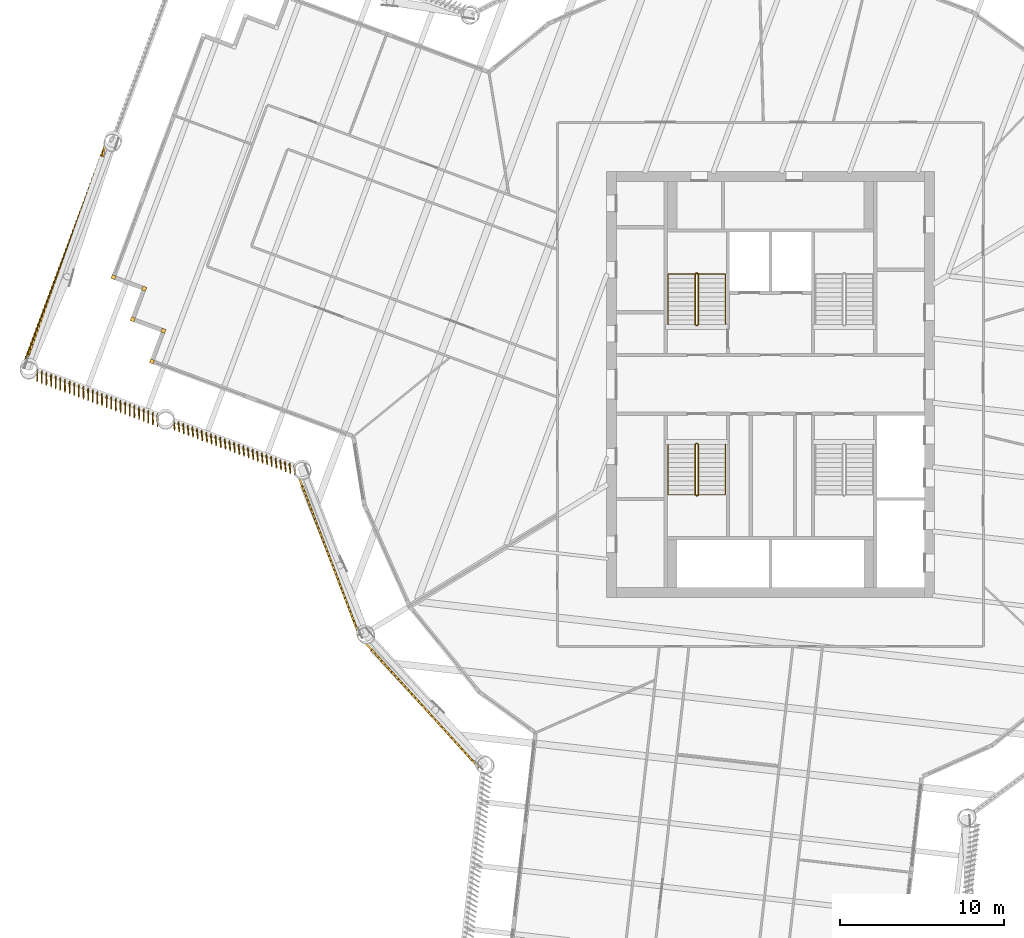
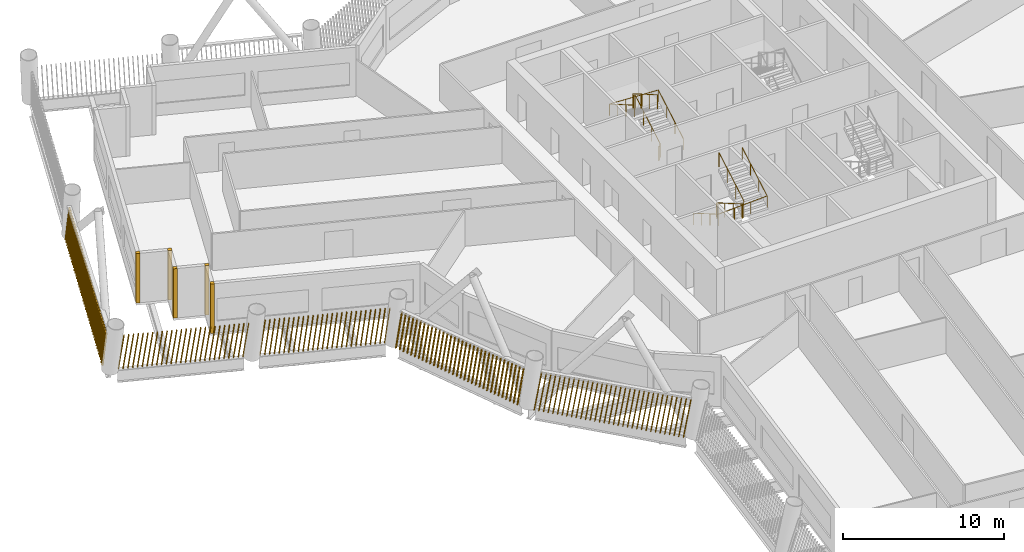
# One storey, part 19 of 22: 10 shading devices, 4 railings.
"""IFC4 building model written with IfcOpenShell, lengths in metres."""

import ifcopenshell
import ifcopenshell.guid

model = None  # the IFC model being written
_history = None  # IfcOwnerHistory: only IFC2X3 demands one
_inside = {}  # id of a spatial element -> (the spatial element, [elements in it])
_under = {}  # id of a project, library or spatial element -> (it, [spatial elements below it])
_declared = {}  # id of a project -> (the project, [libraries it declares])
_typed = {}  # id of a type object -> (the type object, [elements of that type])
_made_of = {}  # id of a material, layer set ... -> (it, [elements and type objects made of it])


def new_model(schema):
    """Start an empty IFC model of exactly this schema.

    Asked for "IFC4X3", IfcOpenShell would pick the latest addendum, in which some entities
    have other attributes; the version numbers below select the first issue.
    IFC2X3 requires an IfcOwnerHistory on every rooted entity: one is made here for all.
    """
    global model, _history
    if schema == "IFC4X3":
        model = ifcopenshell.file(schema_version=(4, 3, 0, 0))
    else:
        model = ifcopenshell.file(schema=schema)
    _inside.clear()
    _under.clear()
    _declared.clear()
    _typed.clear()
    _made_of.clear()
    _history = None
    if model.schema == "IFC2X3":
        org = make("IfcOrganization", Name="unknown")
        user = make(
            "IfcPersonAndOrganization",
            ThePerson=make("IfcPerson", FamilyName="unknown"),
            TheOrganization=org,
        )
        app = make(
            "IfcApplication",
            ApplicationDeveloper=org,
            Version="unknown",
            ApplicationFullName="unknown",
            ApplicationIdentifier="unknown",
        )
        _history = make(
            "IfcOwnerHistory",
            OwningUser=user,
            OwningApplication=app,
            ChangeAction="ADDED",
            CreationDate=0,
        )
    return model


def make(cls, **values):
    """One entity of the class cls with the attributes given. An attribute that is None is left unset."""
    return model.create_entity(
        cls, **{name: value for name, value in values.items() if value is not None}
    )


def rooted(cls, **values):
    """An entity with a GlobalId (a new one), such as an element, a storey or a relation."""
    return make(cls, GlobalId=ifcopenshell.guid.new(), OwnerHistory=_history, **values)


def si_unit(unit_type, name, prefix=None):
    """IfcSIUnit, for example si_unit("LENGTHUNIT", "METRE", prefix="MILLI")."""
    return make("IfcSIUnit", UnitType=unit_type, Prefix=prefix, Name=name)


def assignment(units):
    """IfcUnitAssignment: the units of a project."""
    return None if units is None else make("IfcUnitAssignment", Units=units)


def point(xyz):
    """IfcCartesianPoint."""
    return None if xyz is None else make("IfcCartesianPoint", Coordinates=xyz)


def direction(xyz):
    """IfcDirection."""
    return None if xyz is None else make("IfcDirection", DirectionRatios=xyz)


def frame(location, z_axis=None, x_axis=None):
    """IfcAxis2Placement3D, a coordinate frame: its origin and axes. An axis left out is left unset."""
    return make(
        "IfcAxis2Placement3D",
        Location=point(location),
        Axis=direction(z_axis),
        RefDirection=direction(x_axis),
    )


def frame_2d(location, x_axis=None):
    """IfcAxis2Placement2D, a coordinate frame in the plane: its origin and x axis."""
    return make(
        "IfcAxis2Placement2D", Location=point(location), RefDirection=direction(x_axis)
    )


def origin():
    """The frame at (0, 0, 0) with its axes left unset."""
    return frame((0.0, 0.0, 0.0))


def origin_2d():
    """The frame at (0, 0) in the plane with its x axis left unset."""
    return frame_2d((0.0, 0.0))


def place(relative_to, where):
    """IfcLocalPlacement: puts the frame where relative to a parent placement (None: the world)."""
    return make(
        "IfcLocalPlacement", PlacementRelTo=relative_to, RelativePlacement=where
    )


def context(
    kind, dimensions, precision=None, world=None, true_north=None, identifier=None
):
    """IfcGeometricRepresentationContext, for example the 3D "Model" context."""
    return make(
        "IfcGeometricRepresentationContext",
        ContextIdentifier=identifier,
        ContextType=kind,
        CoordinateSpaceDimension=dimensions,
        Precision=precision,
        WorldCoordinateSystem=world,
        TrueNorth=true_north,
    )


def subcontext(parent, identifier, kind, view, scale=None):
    """IfcGeometricRepresentationSubContext, for example "Body" below "Model"."""
    return make(
        "IfcGeometricRepresentationSubContext",
        ContextIdentifier=identifier,
        ContextType=kind,
        ParentContext=parent,
        TargetScale=scale,
        TargetView=view,
    )


def project(units=None, contexts=None):
    """IfcProject with its units and contexts."""
    return rooted(
        "IfcProject",
        Name="project",
        RepresentationContexts=contexts,
        UnitsInContext=assignment(units),
    )


def spatial(cls, under=None, at=None, **own):
    """A site, building, storey or space (cls), placed at a placement, below another one or the project."""
    s = rooted(cls, ObjectPlacement=at, **own)
    if under is not None:
        _under.setdefault(under.id(), (under, []))[1].append(s)
    return s


def profile(cls, at=None, kind="AREA", **sizes):
    """A parametric profile (cls). Its sizes go by their IFC names, for example OverallWidth=200.0."""
    return make(cls, ProfileType=kind, Position=at, **sizes)


def rectangle(**sizes):
    """IfcRectangleProfileDef."""
    return profile("IfcRectangleProfileDef", **sizes)


def circle(**sizes):
    """IfcCircleProfileDef."""
    return profile("IfcCircleProfileDef", **sizes)


def composite_profile(profiles, kind="AREA"):
    """IfcCompositeProfileDef: several profiles as one."""
    return make("IfcCompositeProfileDef", ProfileType=kind, Profiles=profiles)


def extrude(swept, where, along, depth):
    """IfcExtrudedAreaSolid: the profile swept, set in the frame where, extruded along a direction by depth."""
    return make(
        "IfcExtrudedAreaSolid",
        SweptArea=swept,
        Position=where,
        ExtrudedDirection=direction(along),
        Depth=depth,
    )


def shape(context_of_items, identifier, shape_type, items):
    """IfcShapeRepresentation: the items that make up one representation, for example the "Body"."""
    return make(
        "IfcShapeRepresentation",
        ContextOfItems=context_of_items,
        RepresentationIdentifier=identifier,
        RepresentationType=shape_type,
        Items=items,
    )


def material(Name=None, Category=None):
    """IfcMaterial."""
    return make("IfcMaterial", Name=Name, Category=Category)


def made_of(thing, what):
    """Note that an element or type object is made of a material, layer set ...; save() writes the relation."""
    if what is not None:
        _made_of.setdefault(what.id(), (what, []))[1].append(thing)
    return thing


def type_object(cls, material=None, **own):
    """A type object (cls), such as IfcWallType, which elements share."""
    return made_of(rooted(cls, **own), material)


def element(
    cls,
    number,
    at=None,
    inside=None,
    cuts=None,
    type_object=None,
    material=None,
    context=None,
    identifier="Body",
    shape_type=None,
    held_by="IfcProductDefinitionShape",
    body=None,
    shapes=None,
    **own,
):
    """One element of the class cls, such as IfcWall. Its Tag is "e" and its number.

    at: its placement. inside: the storey or other place that contains it. cuts: it is an
    opening in that element (IfcRelVoidsElement). A single representation is given by context,
    identifier, shape_type and body (its items); several are given by shapes. held_by: the class
    of the entity that holds the representations. save() writes the other relations.
    """
    e = rooted(cls, Tag="e%d" % number, ObjectPlacement=at, **own)
    if body is not None:
        shapes = [shape(context, identifier, shape_type, body)]
    if shapes is not None:
        e.Representation = make(held_by, Representations=shapes)
    if inside is not None:
        _inside.setdefault(inside.id(), (inside, []))[1].append(e)
    if cuts is not None:
        rooted(
            "IfcRelVoidsElement", RelatingBuildingElement=cuts, RelatedOpeningElement=e
        )
    if type_object is not None:
        _typed.setdefault(type_object.id(), (type_object, []))[1].append(e)
    return made_of(e, material)


def aggregate(whole, parts):
    """IfcRelAggregates: a whole, such as a stair, and the parts it consists of."""
    return rooted("IfcRelAggregates", RelatingObject=whole, RelatedObjects=parts)


def save(model, path):
    """Write the relations noted so far, then the file.

    IfcRelAggregates (storeys below a building ...), IfcRelContainedInSpatialStructure (elements
    in a storey), IfcRelDefinesByType, IfcRelAssociatesMaterial and IfcRelDeclares: one each for
    every whole, place, type object, material and project.
    """
    for whole, parts in _under.values():
        aggregate(whole, parts)
    for where, things in _inside.values():
        rooted(
            "IfcRelContainedInSpatialStructure",
            RelatedElements=things,
            RelatingStructure=where,
        )
    for kind, things in _typed.values():
        rooted("IfcRelDefinesByType", RelatedObjects=things, RelatingType=kind)
    for what, things in _made_of.values():
        rooted("IfcRelAssociatesMaterial", RelatedObjects=things, RelatingMaterial=what)
    for by, libraries in _declared.values():
        rooted("IfcRelDeclares", RelatingContext=by, RelatedDefinitions=libraries)
    model.write(path)


model = new_model("IFC4")

# Units and contexts
model_context = context("Model", 3, precision=1e-05, world=origin(), true_north=direction((0.0, 1.0)))
body_context = subcontext(model_context, "Body", "Model", "MODEL_VIEW")
ifc_project = project(units=[si_unit("LENGTHUNIT", "METRE"), si_unit("AREAUNIT", "SQUARE_METRE"), si_unit("VOLUMEUNIT", "CUBIC_METRE"), si_unit("PLANEANGLEUNIT", "RADIAN"), si_unit("MASSUNIT", "GRAM", prefix="KILO")], contexts=[model_context])

# Site, building, storey
site_placement = place(None, origin())
site = spatial("IfcSite", under=ifc_project, at=site_placement, CompositionType="ELEMENT")
building_placement = place(site_placement, origin())
building = spatial("IfcBuilding", under=site, at=building_placement, Name="Tarsis Ring Headquarters", CompositionType="ELEMENT")
storey_placement = place(building_placement, frame((0.0, 0.0, 200.39990234375)))
storey = spatial("IfcBuildingStorey", under=building, at=storey_placement, Name="L46", CompositionType="ELEMENT", Elevation=200.39990234375)

# Railings
ifc_material_1 = material(Name="Steel S355", Category="steel")
railing_type_1 = type_object("IfcRailingType", Name="Core stair guard 1100", PredefinedType="GUARDRAIL", material=ifc_material_1)
railing_1_placement = place(storey_placement, frame((-4.5400390625, 3.610107421875, 0.0)))
element("IfcRailing", 1, at=railing_1_placement, inside=storey, type_object=railing_type_1, Name="L46 ST1 stair guard 1", PredefinedType="GUARDRAIL", context=body_context, shape_type="SweptSolid", body=[
    extrude(circle(Radius=0.02392578125, at=origin_2d()), frame((0.0, 0.0, 1.076171875), z_axis=(1.0, 0.0, 0.0), x_axis=(0.0, 1.0, 0.0)), (0.0, 0.0, 1.0), 0.080078125),
    extrude(circle(Radius=0.02392578125, at=origin_2d()), frame((0.080078125, 0.0, 1.076171875), z_axis=(0.282336740067, 0.280959487676, 0.917250092119), x_axis=(-0.705375805398, 0.708833529934, 0.0)), (0.0, 0.0, 1.0), 0.17724609375),
    extrude(circle(Radius=0.02392578125, at=origin_2d()), frame((0.130126953125, 0.0498046875, 1.23876953125), z_axis=(0.0, 0.864890721111, 0.501960198159), x_axis=(-1.0, 0.0, 0.0)), (0.0, 0.0, 1.0), 3.561279296875),
    extrude(circle(Radius=0.02392578125, at=origin_2d()), frame((0.130126953125, 3.1298828125, 3.0263671875), z_axis=(-0.707106781187, 0.707106781187, 0.0), x_axis=(-0.707106781187, -0.707106781187, 0.0)), (0.0, 0.0, 1.0), 0.07080078125),
    extrude(circle(Radius=0.02392578125, at=origin_2d()), frame((0.080078125, 3.179931640625, 3.0263671875), z_axis=(-1.0, 0.0, 0.0), x_axis=(0.0, -1.0, 0.0)), (0.0, 0.0, 1.0), 0.080078125),
    extrude(circle(Radius=0.02392578125, at=origin_2d()), frame((0.0, 3.179931640625, 3.0263671875), z_axis=(-0.282583949758, -0.282583949758, 0.916674763849), x_axis=(0.707106781187, -0.707106781187, 0.0)), (0.0, 0.0, 1.0), 0.177001953125),
    extrude(circle(Radius=0.02392578125, at=origin_2d()), frame((-0.050048828125, 3.1298828125, 3.1884765625), z_axis=(0.0, -0.864890721111, 0.501960198159), x_axis=(1.0, 0.0, 0.0)), (0.0, 0.0, 1.0), 3.561279296875),
    extrude(circle(Radius=0.02099609375, at=origin_2d()), origin(), (0.0, 0.0, 1.0), 1.052001953125),
    extrude(circle(Radius=0.02099609375, at=origin_2d()), frame((0.080078125, 0.0, 0.0)), (0.0, 0.0, 1.0), 1.052001953125),
    extrude(circle(Radius=0.02099609375, at=origin_2d()), frame((0.130126953125, 0.0498046875, 0.16259765625)), (0.0, 0.0, 1.0), 1.052001953125),
    extrude(circle(Radius=0.02099609375, at=origin_2d()), frame((0.130126953125, 1.076416015625, 0.758544921875)), (0.0, 0.0, 1.0), 1.052001953125),
    extrude(circle(Radius=0.02099609375, at=origin_2d()), frame((0.130126953125, 2.103271484375, 1.354248046875)), (0.0, 0.0, 1.0), 1.052001953125),
    extrude(circle(Radius=0.02099609375, at=origin_2d()), frame((0.130126953125, 3.1298828125, 1.9501953125)), (0.0, 0.0, 1.0), 1.052001953125),
    extrude(circle(Radius=0.02099609375, at=origin_2d()), frame((0.080078125, 3.179931640625, 1.9501953125)), (0.0, 0.0, 1.0), 1.052001953125),
    extrude(circle(Radius=0.02099609375, at=origin_2d()), frame((0.0, 3.179931640625, 1.9501953125)), (0.0, 0.0, 1.0), 1.052001953125),
    extrude(circle(Radius=0.02099609375, at=origin_2d()), frame((-0.050048828125, 3.1298828125, 2.112548828125)), (0.0, 0.0, 1.0), 1.052001953125),
    extrude(circle(Radius=0.02099609375, at=origin_2d()), frame((-0.050048828125, 2.103271484375, 2.70849609375)), (0.0, 0.0, 1.0), 1.052001953125),
    extrude(circle(Radius=0.02099609375, at=origin_2d()), frame((-0.050048828125, 1.076416015625, 3.30419921875)), (0.0, 0.0, 1.0), 1.052001953125),
    extrude(circle(Radius=0.02099609375, at=origin_2d()), frame((-0.050048828125, 0.0498046875, 3.900146484375)), (0.0, 0.0, 1.0), 1.052001953125),
])
railing_2_placement = place(storey_placement, frame((-4.4599609375, -3.610107421875, 0.0)))
element("IfcRailing", 2, at=railing_2_placement, inside=storey, type_object=railing_type_1, Name="L46 ST3 stair guard 1", PredefinedType="GUARDRAIL", context=body_context, shape_type="SweptSolid", body=[
    extrude(circle(Radius=0.02392578125, at=origin_2d()), frame((0.0, 0.0, 1.076171875), z_axis=(-1.0, 0.0, 0.0), x_axis=(0.0, -1.0, 0.0)), (0.0, 0.0, 1.0), 0.080078125),
    extrude(circle(Radius=0.02392578125, at=origin_2d()), frame((-0.080078125, 0.0, 1.076171875), z_axis=(-0.282336740067, -0.280959487676, 0.917250092119), x_axis=(0.705375805398, -0.708833529934, 0.0)), (0.0, 0.0, 1.0), 0.17724609375),
    extrude(circle(Radius=0.02392578125, at=origin_2d()), frame((-0.130126953125, -0.0498046875, 1.23876953125), z_axis=(0.0, -0.864890721111, 0.501960198159), x_axis=(1.0, 0.0, 0.0)), (0.0, 0.0, 1.0), 3.561279296875),
    extrude(circle(Radius=0.02392578125, at=origin_2d()), frame((-0.130126953125, -3.1298828125, 3.0263671875), z_axis=(0.707106781187, -0.707106781187, 0.0), x_axis=(0.707106781187, 0.707106781187, 0.0)), (0.0, 0.0, 1.0), 0.07080078125),
    extrude(circle(Radius=0.02392578125, at=origin_2d()), frame((-0.080078125, -3.179931640625, 3.0263671875), z_axis=(1.0, 0.0, 0.0), x_axis=(0.0, 1.0, 0.0)), (0.0, 0.0, 1.0), 0.080078125),
    extrude(circle(Radius=0.02392578125, at=origin_2d()), frame((0.0, -3.179931640625, 3.0263671875), z_axis=(0.282583949758, 0.282583949758, 0.916674763849), x_axis=(-0.707106781187, 0.707106781187, 0.0)), (0.0, 0.0, 1.0), 0.177001953125),
    extrude(circle(Radius=0.02392578125, at=origin_2d()), frame((0.050048828125, -3.1298828125, 3.1884765625), z_axis=(0.0, 0.864890721111, 0.501960198159), x_axis=(-1.0, 0.0, 0.0)), (0.0, 0.0, 1.0), 3.561279296875),
    extrude(circle(Radius=0.02099609375, at=origin_2d()), origin(), (0.0, 0.0, 1.0), 1.052001953125),
    extrude(circle(Radius=0.02099609375, at=origin_2d()), frame((-0.080078125, 0.0, 0.0)), (0.0, 0.0, 1.0), 1.052001953125),
    extrude(circle(Radius=0.02099609375, at=origin_2d()), frame((-0.130126953125, -0.0498046875, 0.16259765625)), (0.0, 0.0, 1.0), 1.052001953125),
    extrude(circle(Radius=0.02099609375, at=origin_2d()), frame((-0.130126953125, -1.076416015625, 0.758544921875)), (0.0, 0.0, 1.0), 1.052001953125),
    extrude(circle(Radius=0.02099609375, at=origin_2d()), frame((-0.130126953125, -2.103271484375, 1.354248046875)), (0.0, 0.0, 1.0), 1.052001953125),
    extrude(circle(Radius=0.02099609375, at=origin_2d()), frame((-0.130126953125, -3.1298828125, 1.9501953125)), (0.0, 0.0, 1.0), 1.052001953125),
    extrude(circle(Radius=0.02099609375, at=origin_2d()), frame((-0.080078125, -3.179931640625, 1.9501953125)), (0.0, 0.0, 1.0), 1.052001953125),
    extrude(circle(Radius=0.02099609375, at=origin_2d()), frame((0.0, -3.179931640625, 1.9501953125)), (0.0, 0.0, 1.0), 1.052001953125),
    extrude(circle(Radius=0.02099609375, at=origin_2d()), frame((0.050048828125, -3.1298828125, 2.112548828125)), (0.0, 0.0, 1.0), 1.052001953125),
    extrude(circle(Radius=0.02099609375, at=origin_2d()), frame((0.050048828125, -2.103271484375, 2.70849609375)), (0.0, 0.0, 1.0), 1.052001953125),
    extrude(circle(Radius=0.02099609375, at=origin_2d()), frame((0.050048828125, -1.076416015625, 3.30419921875)), (0.0, 0.0, 1.0), 1.052001953125),
    extrude(circle(Radius=0.02099609375, at=origin_2d()), frame((0.050048828125, -0.0498046875, 3.900146484375)), (0.0, 0.0, 1.0), 1.052001953125),
])
railing_type_2 = type_object("IfcRailingType", Name="Core stair handrail 900", PredefinedType="HANDRAIL", material=ifc_material_1)
railing_3_placement = place(storey_placement, frame((-2.75, 3.659912109375, 0.16259765625)))
element("IfcRailing", 3, at=railing_3_placement, inside=storey, type_object=railing_type_2, Name="L46 ST1 stair handrail 1", PredefinedType="HANDRAIL", context=body_context, shape_type="SweptSolid", body=[
    extrude(circle(Radius=0.02392578125, at=origin_2d()), frame((0.0, 0.0, 0.8759765625), z_axis=(0.0, 0.864890721111, 0.501960198159), x_axis=(-1.0, 0.0, 0.0)), (0.0, 0.0, 1.0), 3.561279296875),
    extrude(circle(Radius=0.02392578125, at=origin_2d()), frame((0.0, 3.080078125, 2.66357421875), z_axis=(-0.998925869279, 0.0, 0.04633689335), x_axis=(0.0, -1.0, 0.0)), (0.0, 0.0, 1.0), 3.503662109375),
    extrude(circle(Radius=0.02392578125, at=origin_2d()), frame((-3.5, 3.080078125, 2.82568359375), z_axis=(0.0, -0.864890721111, 0.501960198159), x_axis=(1.0, 0.0, 0.0)), (0.0, 0.0, 1.0), 3.561279296875),
    extrude(circle(Radius=0.02099609375, at=origin_2d()), origin(), (0.0, 0.0, 1.0), 0.851806640625),
    extrude(circle(Radius=0.02099609375, at=origin_2d()), frame((0.0, 1.026611328125, 0.595947265625)), (0.0, 0.0, 1.0), 0.851806640625),
    extrude(circle(Radius=0.02099609375, at=origin_2d()), frame((0.0, 2.053466796875, 1.191650390625)), (0.0, 0.0, 1.0), 0.851806640625),
    extrude(circle(Radius=0.02099609375, at=origin_2d()), frame((0.0, 3.080078125, 1.78759765625)), (0.0, 0.0, 1.0), 0.851806640625),
    extrude(circle(Radius=0.02099609375, at=origin_2d()), frame((-1.166748046875, 3.080078125, 1.841796875)), (0.0, 0.0, 1.0), 0.851806640625),
    extrude(circle(Radius=0.02099609375, at=origin_2d()), frame((-2.333251953125, 3.080078125, 1.895751953125)), (0.0, 0.0, 1.0), 0.851806640625),
    extrude(circle(Radius=0.02099609375, at=origin_2d()), frame((-3.5, 3.080078125, 1.949951171875)), (0.0, 0.0, 1.0), 0.851806640625),
    extrude(circle(Radius=0.02099609375, at=origin_2d()), frame((-3.5, 2.053466796875, 2.5458984375)), (0.0, 0.0, 1.0), 0.851806640625),
    extrude(circle(Radius=0.02099609375, at=origin_2d()), frame((-3.5, 1.026611328125, 3.1416015625)), (0.0, 0.0, 1.0), 0.851806640625),
    extrude(circle(Radius=0.02099609375, at=origin_2d()), frame((-3.5, 0.0, 3.737548828125)), (0.0, 0.0, 1.0), 0.851806640625),
])
railing_4_placement = place(storey_placement, frame((-6.25, -3.659912109375, 0.16259765625)))
element("IfcRailing", 4, at=railing_4_placement, inside=storey, type_object=railing_type_2, Name="L46 ST3 stair handrail 1", PredefinedType="HANDRAIL", context=body_context, shape_type="SweptSolid", body=[
    extrude(circle(Radius=0.02392578125, at=origin_2d()), frame((0.0, 0.0, 0.8759765625), z_axis=(0.0, -0.864890721111, 0.501960198159), x_axis=(1.0, 0.0, 0.0)), (0.0, 0.0, 1.0), 3.561279296875),
    extrude(circle(Radius=0.02392578125, at=origin_2d()), frame((0.0, -3.080078125, 2.66357421875), z_axis=(0.998925869279, 0.0, 0.04633689335), x_axis=(0.0, 1.0, 0.0)), (0.0, 0.0, 1.0), 3.503662109375),
    extrude(circle(Radius=0.02392578125, at=origin_2d()), frame((3.5, -3.080078125, 2.82568359375), z_axis=(0.0, 0.864890721111, 0.501960198159), x_axis=(-1.0, 0.0, 0.0)), (0.0, 0.0, 1.0), 3.561279296875),
    extrude(circle(Radius=0.02099609375, at=origin_2d()), origin(), (0.0, 0.0, 1.0), 0.851806640625),
    extrude(circle(Radius=0.02099609375, at=origin_2d()), frame((0.0, -1.026611328125, 0.595947265625)), (0.0, 0.0, 1.0), 0.851806640625),
    extrude(circle(Radius=0.02099609375, at=origin_2d()), frame((0.0, -2.053466796875, 1.191650390625)), (0.0, 0.0, 1.0), 0.851806640625),
    extrude(circle(Radius=0.02099609375, at=origin_2d()), frame((0.0, -3.080078125, 1.78759765625)), (0.0, 0.0, 1.0), 0.851806640625),
    extrude(circle(Radius=0.02099609375, at=origin_2d()), frame((1.166748046875, -3.080078125, 1.841796875)), (0.0, 0.0, 1.0), 0.851806640625),
    extrude(circle(Radius=0.02099609375, at=origin_2d()), frame((2.333251953125, -3.080078125, 1.895751953125)), (0.0, 0.0, 1.0), 0.851806640625),
    extrude(circle(Radius=0.02099609375, at=origin_2d()), frame((3.5, -3.080078125, 1.949951171875)), (0.0, 0.0, 1.0), 0.851806640625),
    extrude(circle(Radius=0.02099609375, at=origin_2d()), frame((3.5, -2.053466796875, 2.5458984375)), (0.0, 0.0, 1.0), 0.851806640625),
    extrude(circle(Radius=0.02099609375, at=origin_2d()), frame((3.5, -1.026611328125, 3.1416015625)), (0.0, 0.0, 1.0), 0.851806640625),
    extrude(circle(Radius=0.02099609375, at=origin_2d()), frame((3.5, 0.0, 3.737548828125)), (0.0, 0.0, 1.0), 0.851806640625),
])

# Shading devices
ifc_material_2 = material(Name="Terracotta baguette", Category="masonry")
shading_device_type_1 = type_object("IfcShadingDeviceType", Name="Terracotta baguette screen", PredefinedType="USERDEFINED", material=ifc_material_2)
shading_device_1_placement = place(storey_placement, frame((-24.693359375, -15.825927734375, 0.0), z_axis=(0.0, 0.0, 1.0), x_axis=(0.672279825109, -0.740287320425, 0.0)))
element("IfcShadingDevice", 5, at=shading_device_1_placement, inside=storey, type_object=shading_device_type_1, Name="Baguette screen L46-00", ObjectType="Terracotta baguette screen", PredefinedType="USERDEFINED", context=body_context, shape_type="SweptSolid", body=[
    extrude(composite_profile([rectangle(XDim=0.06005859375, YDim=0.1201171875, at=frame_2d((0.030029296875, 0.0))), rectangle(XDim=0.06005859375, YDim=0.1201171875, at=frame_2d((0.33349609375, 0.0))), rectangle(XDim=0.06005859375, YDim=0.1201171875, at=frame_2d((0.636962890625, 0.0))), rectangle(XDim=0.06005859375, YDim=0.1201171875, at=frame_2d((0.9404296875, 0.0))), rectangle(XDim=0.06005859375, YDim=0.1201171875, at=frame_2d((1.243896484375, 0.0))), rectangle(XDim=0.06005859375, YDim=0.1201171875, at=frame_2d((1.54736328125, 0.0))), rectangle(XDim=0.06005859375, YDim=0.1201171875, at=frame_2d((1.85107421875, 0.0))), rectangle(XDim=0.06005859375, YDim=0.1201171875, at=frame_2d((2.154541015625, 0.0))), rectangle(XDim=0.06005859375, YDim=0.1201171875, at=frame_2d((2.4580078125, 0.0))), rectangle(XDim=0.06005859375, YDim=0.1201171875, at=frame_2d((2.761474609375, 0.0))), rectangle(XDim=0.06005859375, YDim=0.1201171875, at=frame_2d((3.06494140625, 0.0))), rectangle(XDim=0.06005859375, YDim=0.1201171875, at=frame_2d((3.368408203125, 0.0))), rectangle(XDim=0.06005859375, YDim=0.1201171875, at=frame_2d((3.671875, 0.0))), rectangle(XDim=0.06005859375, YDim=0.1201171875, at=frame_2d((3.975341796875, 0.0))), rectangle(XDim=0.06005859375, YDim=0.1201171875, at=frame_2d((4.27880859375, 0.0))), rectangle(XDim=0.06005859375, YDim=0.1201171875, at=frame_2d((4.582275390625, 0.0))), rectangle(XDim=0.06005859375, YDim=0.1201171875, at=frame_2d((4.8857421875, 0.0))), rectangle(XDim=0.06005859375, YDim=0.1201171875, at=frame_2d((5.189453125, 0.0))), rectangle(XDim=0.06005859375, YDim=0.1201171875, at=frame_2d((5.492919921875, 0.0))), rectangle(XDim=0.06005859375, YDim=0.1201171875, at=frame_2d((5.79638671875, 0.0))), rectangle(XDim=0.06005859375, YDim=0.1201171875, at=frame_2d((6.099853515625, 0.0))), rectangle(XDim=0.06005859375, YDim=0.1201171875, at=frame_2d((6.4033203125, 0.0))), rectangle(XDim=0.06005859375, YDim=0.1201171875, at=frame_2d((6.706787109375, 0.0))), rectangle(XDim=0.06005859375, YDim=0.1201171875, at=frame_2d((7.01025390625, 0.0))), rectangle(XDim=0.06005859375, YDim=0.1201171875, at=frame_2d((7.313720703125, 0.0))), rectangle(XDim=0.06005859375, YDim=0.1201171875, at=frame_2d((7.6171875, 0.0))), rectangle(XDim=0.06005859375, YDim=0.1201171875, at=frame_2d((7.920654296875, 0.0))), rectangle(XDim=0.06005859375, YDim=0.1201171875, at=frame_2d((8.224365234375, 0.0))), rectangle(XDim=0.06005859375, YDim=0.1201171875, at=frame_2d((8.52783203125, 0.0))), rectangle(XDim=0.06005859375, YDim=0.1201171875, at=frame_2d((8.831298828125, 0.0))), rectangle(XDim=0.06005859375, YDim=0.1201171875, at=frame_2d((9.134765625, 0.0))), rectangle(XDim=0.06005859375, YDim=0.1201171875, at=frame_2d((9.438232421875, 0.0))), rectangle(XDim=0.06005859375, YDim=0.1201171875, at=frame_2d((9.74169921875, 0.0)))]), origin(), (0.162065485651, 0.001361323811, 0.986779066032), 2.98974609375),
])
shading_device_2_placement = place(storey_placement, frame((-40.63134765625, 14.609375, 0.0), z_axis=(0.0, 0.0, 1.0), x_axis=(-0.349226006192, -0.937036709421, 0.0)))
element("IfcShadingDevice", 6, at=shading_device_2_placement, inside=storey, type_object=shading_device_type_1, Name="Baguette screen L46-18", ObjectType="Terracotta baguette screen", PredefinedType="USERDEFINED", context=body_context, shape_type="SweptSolid", body=[
    extrude(composite_profile([rectangle(XDim=0.06005859375, YDim=0.1201171875, at=frame_2d((0.030029296875, 0.0))), rectangle(XDim=0.06005859375, YDim=0.1201171875, at=frame_2d((0.33544921875, 0.0))), rectangle(XDim=0.06005859375, YDim=0.1201171875, at=frame_2d((0.640625, 0.0))), rectangle(XDim=0.06005859375, YDim=0.1201171875, at=frame_2d((0.946044921875, 0.0))), rectangle(XDim=0.06005859375, YDim=0.1201171875, at=frame_2d((1.25146484375, 0.0))), rectangle(XDim=0.06005859375, YDim=0.1201171875, at=frame_2d((1.556640625, 0.0))), rectangle(XDim=0.06005859375, YDim=0.1201171875, at=frame_2d((1.862060546875, 0.0))), rectangle(XDim=0.06005859375, YDim=0.1201171875, at=frame_2d((2.16748046875, 0.0))), rectangle(XDim=0.06005859375, YDim=0.1201171875, at=frame_2d((2.47265625, 0.0))), rectangle(XDim=0.06005859375, YDim=0.1201171875, at=frame_2d((2.778076171875, 0.0))), rectangle(XDim=0.06005859375, YDim=0.1201171875, at=frame_2d((3.08349609375, 0.0))), rectangle(XDim=0.06005859375, YDim=0.1201171875, at=frame_2d((3.388671875, 0.0))), rectangle(XDim=0.06005859375, YDim=0.1201171875, at=frame_2d((3.694091796875, 0.0))), rectangle(XDim=0.06005859375, YDim=0.1201171875, at=frame_2d((3.99951171875, 0.0))), rectangle(XDim=0.06005859375, YDim=0.1201171875, at=frame_2d((4.3046875, 0.0))), rectangle(XDim=0.06005859375, YDim=0.1201171875, at=frame_2d((4.610107421875, 0.0))), rectangle(XDim=0.06005859375, YDim=0.1201171875, at=frame_2d((4.91552734375, 0.0))), rectangle(XDim=0.06005859375, YDim=0.1201171875, at=frame_2d((5.220703125, 0.0))), rectangle(XDim=0.06005859375, YDim=0.1201171875, at=frame_2d((5.526123046875, 0.0))), rectangle(XDim=0.06005859375, YDim=0.1201171875, at=frame_2d((5.83154296875, 0.0))), rectangle(XDim=0.06005859375, YDim=0.1201171875, at=frame_2d((6.13671875, 0.0))), rectangle(XDim=0.06005859375, YDim=0.1201171875, at=frame_2d((6.442138671875, 0.0))), rectangle(XDim=0.06005859375, YDim=0.1201171875, at=frame_2d((6.74755859375, 0.0))), rectangle(XDim=0.06005859375, YDim=0.1201171875, at=frame_2d((7.052734375, 0.0))), rectangle(XDim=0.06005859375, YDim=0.1201171875, at=frame_2d((7.358154296875, 0.0))), rectangle(XDim=0.06005859375, YDim=0.1201171875, at=frame_2d((7.66357421875, 0.0))), rectangle(XDim=0.06005859375, YDim=0.1201171875, at=frame_2d((7.96875, 0.0))), rectangle(XDim=0.06005859375, YDim=0.1201171875, at=frame_2d((8.274169921875, 0.0))), rectangle(XDim=0.06005859375, YDim=0.1201171875, at=frame_2d((8.57958984375, 0.0))), rectangle(XDim=0.06005859375, YDim=0.1201171875, at=frame_2d((8.884765625, 0.0))), rectangle(XDim=0.06005859375, YDim=0.1201171875, at=frame_2d((9.190185546875, 0.0))), rectangle(XDim=0.06005859375, YDim=0.1201171875, at=frame_2d((9.49560546875, 0.0))), rectangle(XDim=0.06005859375, YDim=0.1201171875, at=frame_2d((9.80078125, 0.0))), rectangle(XDim=0.06005859375, YDim=0.1201171875, at=frame_2d((10.106201171875, 0.0))), rectangle(XDim=0.06005859375, YDim=0.1201171875, at=frame_2d((10.41162109375, 0.0))), rectangle(XDim=0.06005859375, YDim=0.1201171875, at=frame_2d((10.716796875, 0.0))), rectangle(XDim=0.06005859375, YDim=0.1201171875, at=frame_2d((11.022216796875, 0.0))), rectangle(XDim=0.06005859375, YDim=0.1201171875, at=frame_2d((11.32763671875, 0.0))), rectangle(XDim=0.06005859375, YDim=0.1201171875, at=frame_2d((11.6328125, 0.0))), rectangle(XDim=0.06005859375, YDim=0.1201171875, at=frame_2d((11.938232421875, 0.0))), rectangle(XDim=0.06005859375, YDim=0.1201171875, at=frame_2d((12.24365234375, 0.0))), rectangle(XDim=0.06005859375, YDim=0.1201171875, at=frame_2d((12.548828125, 0.0))), rectangle(XDim=0.06005859375, YDim=0.1201171875, at=frame_2d((12.854248046875, 0.0))), rectangle(XDim=0.06005859375, YDim=0.1201171875, at=frame_2d((13.15966796875, 0.0))), rectangle(XDim=0.06005859375, YDim=0.1201171875, at=frame_2d((13.46484375, 0.0))), rectangle(XDim=0.06005859375, YDim=0.1201171875, at=frame_2d((13.770263671875, 0.0)))]), origin(), (0.237599387139, 0.042775611604, 0.970420928403), 3.0400390625),
])
shading_device_3_placement = place(storey_placement, frame((-44.80517578125, 0.904052734375, 0.0), z_axis=(0.0, 0.0, 1.0), x_axis=(0.937034634041, -0.349213705317, 0.0)))
element("IfcShadingDevice", 7, at=shading_device_3_placement, inside=storey, type_object=shading_device_type_1, Name="Baguette screen L46-19", ObjectType="Terracotta baguette screen", PredefinedType="USERDEFINED", context=body_context, shape_type="SweptSolid", body=[
    extrude(composite_profile([rectangle(XDim=0.06005859375, YDim=0.1201171875, at=frame_2d((0.030029296875, 0.0))), rectangle(XDim=0.06005859375, YDim=0.1201171875, at=frame_2d((0.33154296875, 0.0))), rectangle(XDim=0.06005859375, YDim=0.1201171875, at=frame_2d((0.63330078125, 0.0))), rectangle(XDim=0.06005859375, YDim=0.1201171875, at=frame_2d((0.934814453125, 0.0))), rectangle(XDim=0.06005859375, YDim=0.1201171875, at=frame_2d((1.236572265625, 0.0))), rectangle(XDim=0.06005859375, YDim=0.1201171875, at=frame_2d((1.5380859375, 0.0))), rectangle(XDim=0.06005859375, YDim=0.1201171875, at=frame_2d((1.83984375, 0.0))), rectangle(XDim=0.06005859375, YDim=0.1201171875, at=frame_2d((2.141357421875, 0.0))), rectangle(XDim=0.06005859375, YDim=0.1201171875, at=frame_2d((2.443115234375, 0.0))), rectangle(XDim=0.06005859375, YDim=0.1201171875, at=frame_2d((2.74462890625, 0.0))), rectangle(XDim=0.06005859375, YDim=0.1201171875, at=frame_2d((3.04638671875, 0.0))), rectangle(XDim=0.06005859375, YDim=0.1201171875, at=frame_2d((3.347900390625, 0.0))), rectangle(XDim=0.06005859375, YDim=0.1201171875, at=frame_2d((3.649658203125, 0.0))), rectangle(XDim=0.06005859375, YDim=0.1201171875, at=frame_2d((3.951171875, 0.0))), rectangle(XDim=0.06005859375, YDim=0.1201171875, at=frame_2d((4.252685546875, 0.0))), rectangle(XDim=0.06005859375, YDim=0.1201171875, at=frame_2d((4.554443359375, 0.0))), rectangle(XDim=0.06005859375, YDim=0.1201171875, at=frame_2d((4.85595703125, 0.0))), rectangle(XDim=0.06005859375, YDim=0.1201171875, at=frame_2d((5.15771484375, 0.0))), rectangle(XDim=0.06005859375, YDim=0.1201171875, at=frame_2d((5.459228515625, 0.0))), rectangle(XDim=0.06005859375, YDim=0.1201171875, at=frame_2d((5.760986328125, 0.0))), rectangle(XDim=0.06005859375, YDim=0.1201171875, at=frame_2d((6.0625, 0.0))), rectangle(XDim=0.06005859375, YDim=0.1201171875, at=frame_2d((6.3642578125, 0.0))), rectangle(XDim=0.06005859375, YDim=0.1201171875, at=frame_2d((6.665771484375, 0.0))), rectangle(XDim=0.06005859375, YDim=0.1201171875, at=frame_2d((6.967529296875, 0.0))), rectangle(XDim=0.06005859375, YDim=0.1201171875, at=frame_2d((7.26904296875, 0.0))), rectangle(XDim=0.06005859375, YDim=0.1201171875, at=frame_2d((7.57080078125, 0.0))), rectangle(XDim=0.06005859375, YDim=0.1201171875, at=frame_2d((7.872314453125, 0.0)))]), origin(), (0.083623462717, -0.211397142597, 0.973816391619), 3.029541015625),
])
shading_device_4_placement = place(storey_placement, frame((-36.463623046875, -2.204833984375, 0.0), z_axis=(0.0, 0.0, 1.0), x_axis=(0.937036579338, -0.349202916461, 0.0)))
element("IfcShadingDevice", 8, at=shading_device_4_placement, inside=storey, type_object=shading_device_type_1, Name="Baguette screen L46-20", ObjectType="Terracotta baguette screen", PredefinedType="USERDEFINED", context=body_context, shape_type="SweptSolid", body=[
    extrude(composite_profile([rectangle(XDim=0.06005859375, YDim=0.1201171875, at=frame_2d((0.030029296875, 0.0))), rectangle(XDim=0.06005859375, YDim=0.1201171875, at=frame_2d((0.33154296875, 0.0))), rectangle(XDim=0.06005859375, YDim=0.1201171875, at=frame_2d((0.63330078125, 0.0))), rectangle(XDim=0.06005859375, YDim=0.1201171875, at=frame_2d((0.934814453125, 0.0))), rectangle(XDim=0.06005859375, YDim=0.1201171875, at=frame_2d((1.236572265625, 0.0))), rectangle(XDim=0.06005859375, YDim=0.1201171875, at=frame_2d((1.5380859375, 0.0))), rectangle(XDim=0.06005859375, YDim=0.1201171875, at=frame_2d((1.83984375, 0.0))), rectangle(XDim=0.06005859375, YDim=0.1201171875, at=frame_2d((2.141357421875, 0.0))), rectangle(XDim=0.06005859375, YDim=0.1201171875, at=frame_2d((2.443115234375, 0.0))), rectangle(XDim=0.06005859375, YDim=0.1201171875, at=frame_2d((2.74462890625, 0.0))), rectangle(XDim=0.06005859375, YDim=0.1201171875, at=frame_2d((3.04638671875, 0.0))), rectangle(XDim=0.06005859375, YDim=0.1201171875, at=frame_2d((3.347900390625, 0.0))), rectangle(XDim=0.06005859375, YDim=0.1201171875, at=frame_2d((3.649658203125, 0.0))), rectangle(XDim=0.06005859375, YDim=0.1201171875, at=frame_2d((3.951171875, 0.0))), rectangle(XDim=0.06005859375, YDim=0.1201171875, at=frame_2d((4.252685546875, 0.0))), rectangle(XDim=0.06005859375, YDim=0.1201171875, at=frame_2d((4.554443359375, 0.0))), rectangle(XDim=0.06005859375, YDim=0.1201171875, at=frame_2d((4.85595703125, 0.0))), rectangle(XDim=0.06005859375, YDim=0.1201171875, at=frame_2d((5.15771484375, 0.0))), rectangle(XDim=0.06005859375, YDim=0.1201171875, at=frame_2d((5.459228515625, 0.0))), rectangle(XDim=0.06005859375, YDim=0.1201171875, at=frame_2d((5.760986328125, 0.0))), rectangle(XDim=0.06005859375, YDim=0.1201171875, at=frame_2d((6.0625, 0.0))), rectangle(XDim=0.06005859375, YDim=0.1201171875, at=frame_2d((6.3642578125, 0.0))), rectangle(XDim=0.06005859375, YDim=0.1201171875, at=frame_2d((6.665771484375, 0.0))), rectangle(XDim=0.06005859375, YDim=0.1201171875, at=frame_2d((6.967529296875, 0.0))), rectangle(XDim=0.06005859375, YDim=0.1201171875, at=frame_2d((7.26904296875, 0.0))), rectangle(XDim=0.06005859375, YDim=0.1201171875, at=frame_2d((7.57080078125, 0.0))), rectangle(XDim=0.06005859375, YDim=0.1201171875, at=frame_2d((7.872314453125, 0.0)))]), origin(), (0.083988328865, -0.163683637261, 0.982931140776), 3.00146484375),
])
shading_device_5_placement = place(storey_placement, frame((-28.762451171875, -5.739990234375, 0.0), z_axis=(0.0, 0.0, 1.0), x_axis=(0.356336198281, -0.934364381371, 0.0)))
element("IfcShadingDevice", 9, at=shading_device_5_placement, inside=storey, type_object=shading_device_type_1, Name="Baguette screen L46-21", ObjectType="Terracotta baguette screen", PredefinedType="USERDEFINED", context=body_context, shape_type="SweptSolid", body=[
    extrude(composite_profile([rectangle(XDim=0.06005859375, YDim=0.1201171875, at=frame_2d((0.030029296875, 0.0))), rectangle(XDim=0.06005859375, YDim=0.1201171875, at=frame_2d((0.33349609375, 0.0))), rectangle(XDim=0.06005859375, YDim=0.1201171875, at=frame_2d((0.636962890625, 0.0))), rectangle(XDim=0.06005859375, YDim=0.1201171875, at=frame_2d((0.9404296875, 0.0))), rectangle(XDim=0.06005859375, YDim=0.1201171875, at=frame_2d((1.243896484375, 0.0))), rectangle(XDim=0.06005859375, YDim=0.1201171875, at=frame_2d((1.54736328125, 0.0))), rectangle(XDim=0.06005859375, YDim=0.1201171875, at=frame_2d((1.850830078125, 0.0))), rectangle(XDim=0.06005859375, YDim=0.1201171875, at=frame_2d((2.154296875, 0.0))), rectangle(XDim=0.06005859375, YDim=0.1201171875, at=frame_2d((2.4580078125, 0.0))), rectangle(XDim=0.06005859375, YDim=0.1201171875, at=frame_2d((2.761474609375, 0.0))), rectangle(XDim=0.06005859375, YDim=0.1201171875, at=frame_2d((3.06494140625, 0.0))), rectangle(XDim=0.06005859375, YDim=0.1201171875, at=frame_2d((3.368408203125, 0.0))), rectangle(XDim=0.06005859375, YDim=0.1201171875, at=frame_2d((3.671875, 0.0))), rectangle(XDim=0.06005859375, YDim=0.1201171875, at=frame_2d((3.975341796875, 0.0))), rectangle(XDim=0.06005859375, YDim=0.1201171875, at=frame_2d((4.27880859375, 0.0))), rectangle(XDim=0.06005859375, YDim=0.1201171875, at=frame_2d((4.582275390625, 0.0))), rectangle(XDim=0.06005859375, YDim=0.1201171875, at=frame_2d((4.8857421875, 0.0))), rectangle(XDim=0.06005859375, YDim=0.1201171875, at=frame_2d((5.189208984375, 0.0))), rectangle(XDim=0.06005859375, YDim=0.1201171875, at=frame_2d((5.49267578125, 0.0))), rectangle(XDim=0.06005859375, YDim=0.1201171875, at=frame_2d((5.796142578125, 0.0))), rectangle(XDim=0.06005859375, YDim=0.1201171875, at=frame_2d((6.099609375, 0.0))), rectangle(XDim=0.06005859375, YDim=0.1201171875, at=frame_2d((6.403076171875, 0.0))), rectangle(XDim=0.06005859375, YDim=0.1201171875, at=frame_2d((6.70654296875, 0.0))), rectangle(XDim=0.06005859375, YDim=0.1201171875, at=frame_2d((7.010009765625, 0.0))), rectangle(XDim=0.06005859375, YDim=0.1201171875, at=frame_2d((7.3134765625, 0.0))), rectangle(XDim=0.06005859375, YDim=0.1201171875, at=frame_2d((7.6171875, 0.0))), rectangle(XDim=0.06005859375, YDim=0.1201171875, at=frame_2d((7.920654296875, 0.0))), rectangle(XDim=0.06005859375, YDim=0.1201171875, at=frame_2d((8.22412109375, 0.0))), rectangle(XDim=0.06005859375, YDim=0.1201171875, at=frame_2d((8.527587890625, 0.0))), rectangle(XDim=0.06005859375, YDim=0.1201171875, at=frame_2d((8.8310546875, 0.0))), rectangle(XDim=0.06005859375, YDim=0.1201171875, at=frame_2d((9.134521484375, 0.0))), rectangle(XDim=0.06005859375, YDim=0.1201171875, at=frame_2d((9.43798828125, 0.0))), rectangle(XDim=0.06005859375, YDim=0.1201171875, at=frame_2d((9.741455078125, 0.0)))]), origin(), (0.162067580368, 0.001357089965, 0.986778727831), 2.98974609375),
])
shading_device_type_2 = type_object("IfcShadingDeviceType", Name="Terracotta corner baguette 250x250", PredefinedType="USERDEFINED", material=ifc_material_2)
for number, where, z_axis, x_axis, name in (
    (10, (-37.763427734375, 1.401123046875, 0.0), (0.0, 0.0, 1.0), (-0.349226177758, -0.937038460667, 0.0), "Corner baguette L46-01"),
    (11, (-40.114501953125, 6.546142578125, 0.0), (0.0, 0.0, 1.0), (-0.349226308593, -0.937038411905, 0.0), "Corner baguette L46-37"),
    (12, (-38.240478515625, 5.84765625, 0.0), (0.0, 0.0, 1.0), (0.937038521618, -0.349226014214, 0.0), "Corner baguette L46-38"),
    (13, (-38.93896484375, 3.9736328125, 0.0), (0.0, 0.0, 1.0), (-0.349226292239, -0.937038418001, 0.0), "Corner baguette L46-39"),
    (14, (-37.06494140625, 3.275146484375, 0.0), (0.0, 0.0, 1.0), (0.937038357049, -0.349226455783, 0.0), "Corner baguette L46-40"),
):
    element("IfcShadingDevice", number, at=place(storey_placement, frame(where, z_axis=z_axis, x_axis=x_axis)), inside=storey, type_object=shading_device_type_2, Name=name, ObjectType="Terracotta corner baguette", PredefinedType="USERDEFINED", context=body_context, shape_type="SweptSolid", body=[
        extrude(rectangle(XDim=0.25, YDim=0.25, at=origin_2d()), origin(), (0.0, 0.0, 1.0), 3.739990234375),
    ])

save(model, "model.ifc")
